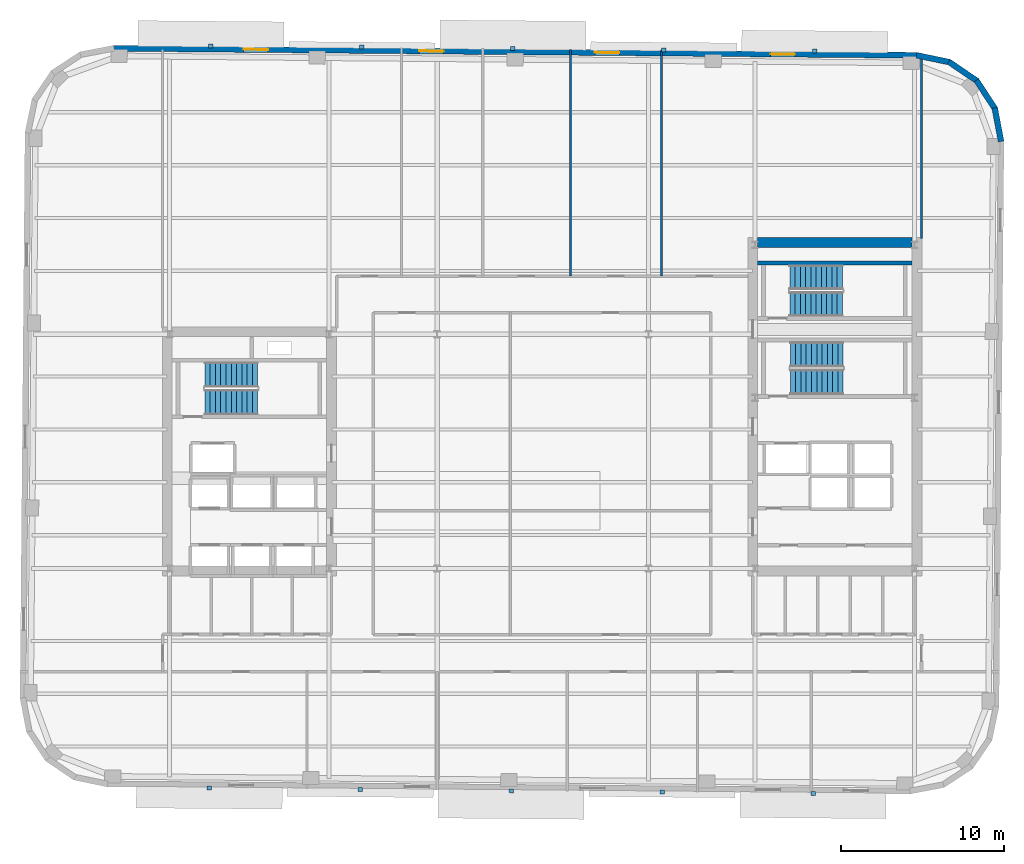
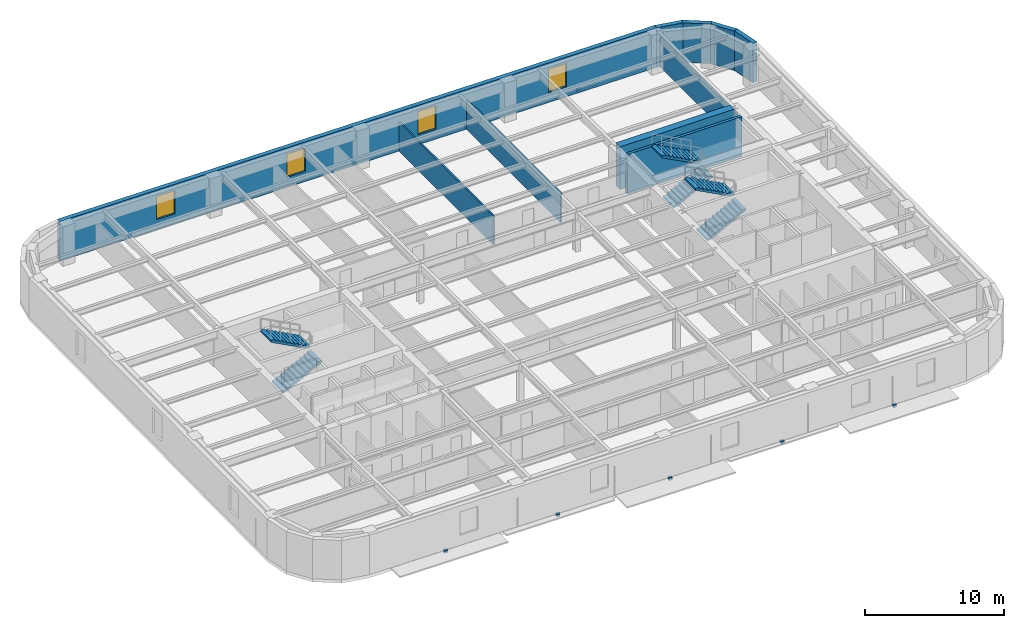
# One storey, part 7 of 11: 10 discrete accessories, 10 walls, 6 stair flights, 4 windows, 4 openings, 3 elements without a shape of their own.
"""IFC4 building model written with IfcOpenShell, lengths in metres."""

from ifc_helpers import new_model, si_unit, direction, frame, frame_2d, origin, origin_2d, place, context, subcontext, project, spatial, polyline, rectangle, outline, extrude, material, layer, layer_set, type_object, element, fill, aggregate, save


model = new_model("IFC4")

# Units and contexts
model_context = context("Model", 3, precision=1e-05, world=origin(), true_north=direction((0.0, 1.0)))
body_context = subcontext(model_context, "Body", "Model", "MODEL_VIEW")
ifc_project = project(units=[si_unit("LENGTHUNIT", "METRE"), si_unit("AREAUNIT", "SQUARE_METRE"), si_unit("VOLUMEUNIT", "CUBIC_METRE"), si_unit("PLANEANGLEUNIT", "RADIAN"), si_unit("MASSUNIT", "GRAM", prefix="KILO")], contexts=[model_context])

# Site, building, storey
site_placement = place(None, origin())
site = spatial("IfcSite", under=ifc_project, at=site_placement, CompositionType="ELEMENT")
building_placement = place(site_placement, origin())
building = spatial("IfcBuilding", under=site, at=building_placement, Name="Kolvaren Arena Tower", CompositionType="ELEMENT")
storey_placement = place(building_placement, frame((0.0, 0.0, 162.199951171875)))
storey = spatial("IfcBuildingStorey", under=building, at=storey_placement, Name="L38", CompositionType="ELEMENT", Elevation=162.199951171875)

# Walls
ifc_material_1 = material(Name="Concrete 60 MPa", Category="concrete")
ifc_layer_1 = layer(ifc_material_1, 0.60009765625)
ifc_layer_set_1 = layer_set([ifc_layer_1], Name="Concrete 60 MPa")
wall_type_1 = type_object("IfcWallType", Name="CWALL-600", PredefinedType="SHEAR", material=ifc_layer_set_1)
wall_1_placement = place(storey_placement, frame((50.699951171875, 39.5, -0.27001953125), z_axis=(0.0, 0.0, 1.0), x_axis=(1.0, 0.0, 0.0)))
element("IfcWall", 1, at=wall_1_placement, inside=storey, type_object=wall_type_1, Name="Core Shear Wall EC-NORTH (L38)", PredefinedType="SHEAR", context=body_context, shape_type="SweptSolid", body=[
    extrude(rectangle(XDim=9.5, YDim=0.60009765625, at=frame_2d((4.75, 0.0))), origin(), (0.0, 0.0, 1.0), 3.75),
])
ifc_material_2 = material(Name="Precast concrete C50/60", Category="concrete")
ifc_layer_2 = layer(ifc_material_2, 0.360107421875)
ifc_layer_set_2 = layer_set([ifc_layer_2], Name="Precast concrete C50/60")
wall_type_2 = type_object("IfcWallType", Name="EXT-PIER2", PredefinedType="SOLIDWALL", material=ifc_layer_set_2)
wall_2_placement = place(storey_placement, frame((65.281005859375, 47.773193359375, 0.0), z_axis=(0.0, 0.0, 1.0), x_axis=(0.186435855703, -0.98246713518, 0.0)))
element("IfcWall", 2, at=wall_2_placement, inside=storey, type_object=wall_type_2, Name="Exterior Precast Masonry-Frame Wall (L38)", PredefinedType="SOLIDWALL", context=body_context, shape_type="SweptSolid", body=[
    extrude(rectangle(XDim=2.10693359375, YDim=0.360107421875, at=frame_2d((1.053466796875, 0.0))), origin(), (0.0, 0.0, 1.0), 3.47998046875),
])
wall_3_placement = place(storey_placement, frame((64.152099609375, 49.469970703125, 0.0), z_axis=(0.0, 0.0, 1.0), x_axis=(0.548238722478, -0.83632188969, 0.0)))
element("IfcWall", 3, at=wall_3_placement, inside=storey, type_object=wall_type_2, Name="Exterior Precast Masonry-Frame Wall (L38)", PredefinedType="SOLIDWALL", context=body_context, shape_type="SweptSolid", body=[
    extrude(rectangle(XDim=2.106689453125, YDim=0.360107421875, at=frame_2d((1.05322265625, 0.0))), origin(), (0.0, 0.0, 1.0), 3.47998046875),
])
wall_4_placement = place(storey_placement, frame((62.45947265625, 50.605712890625, 0.0), z_axis=(0.0, 0.0, 1.0), x_axis=(0.826609569219, -0.56277581689, 0.0)))
element("IfcWall", 4, at=wall_4_placement, inside=storey, type_object=wall_type_2, Name="Exterior Precast Masonry-Frame Wall (L38)", PredefinedType="SOLIDWALL", context=body_context, shape_type="SweptSolid", body=[
    extrude(rectangle(XDim=2.10693359375, YDim=0.360107421875, at=frame_2d((1.053466796875, 0.0))), origin(), (0.0, 0.0, 1.0), 3.47998046875),
])
wall_5_placement = place(storey_placement, frame((60.461181640625, 51.00732421875, 0.0), z_axis=(0.0, 0.0, 1.0), x_axis=(0.979059388908, -0.203574833883, 0.0)))
element("IfcWall", 5, at=wall_5_placement, inside=storey, type_object=wall_type_2, Name="Exterior Precast Masonry-Frame Wall (L38)", PredefinedType="SOLIDWALL", context=body_context, shape_type="SweptSolid", body=[
    extrude(rectangle(XDim=2.107177734375, YDim=0.360107421875, at=frame_2d((1.0537109375, 0.0))), origin(), (0.0, 0.0, 1.0), 3.47998046875),
])

# Wall, openings, windows
wall_6_placement = place(storey_placement, frame((11.098388671875, 51.434814453125, 0.0), z_axis=(0.0, 0.0, 1.0), x_axis=(0.99996191194, -0.008727810138, 0.0)))
wall_6 = element("IfcWall", 6, at=wall_6_placement, inside=storey, type_object=wall_type_2, Name="Exterior Precast Masonry-Frame Wall (L38)", PredefinedType="SOLIDWALL", context=body_context, shape_type="SweptSolid", body=[
    extrude(rectangle(XDim=49.39990234375, YDim=0.360107421875, at=frame_2d((24.699951171875, 0.0))), origin(), (0.0, 0.0, 1.0), 3.47998046875),
])
opening_1_placement = place(wall_6_placement, frame((8.0, 0.0, 0.8798828125)))
opening_1 = element("IfcOpeningElement", 7, at=opening_1_placement, cuts=wall_6, Name="Opening W03", PredefinedType="OPENING", context=body_context, shape_type="SweptSolid", body=[
    extrude(rectangle(XDim=1.5, YDim=2.050048828125, at=frame_2d((0.75, 1.02490234375))), frame((0.0, 0.18994140625, 0.0), z_axis=(0.0, -1.0, 0.0), x_axis=(1.0, 0.0, 0.0)), (0.0, 0.0, 1.0), 0.380126953125),
])
opening_2_placement = place(wall_6_placement, frame((18.800048828125, 0.0, 0.8798828125)))
opening_2 = element("IfcOpeningElement", 8, at=opening_2_placement, cuts=wall_6, Name="Opening W03", PredefinedType="OPENING", context=body_context, shape_type="SweptSolid", body=[
    extrude(rectangle(XDim=1.5, YDim=2.050048828125, at=frame_2d((0.75, 1.02490234375))), frame((0.0, 0.18994140625, 0.0), z_axis=(0.0, -1.0, 0.0), x_axis=(1.0, 0.0, 0.0)), (0.0, 0.0, 1.0), 0.380126953125),
])
opening_3_placement = place(wall_6_placement, frame((29.60009765625, 0.0, 0.8798828125)))
opening_3 = element("IfcOpeningElement", 9, at=opening_3_placement, cuts=wall_6, Name="Opening W03", PredefinedType="OPENING", context=body_context, shape_type="SweptSolid", body=[
    extrude(rectangle(XDim=1.5, YDim=2.050048828125, at=frame_2d((0.75, 1.02490234375))), frame((0.0, 0.18994140625, 0.0), z_axis=(0.0, -1.0, 0.0), x_axis=(1.0, 0.0, 0.0)), (0.0, 0.0, 1.0), 0.380126953125),
])
opening_4_placement = place(wall_6_placement, frame((40.39990234375, 0.0, 0.8798828125)))
opening_4 = element("IfcOpeningElement", 10, at=opening_4_placement, cuts=wall_6, Name="Opening W03", PredefinedType="OPENING", context=body_context, shape_type="SweptSolid", body=[
    extrude(rectangle(XDim=1.5, YDim=2.050048828125, at=frame_2d((0.75, 1.02490234375))), frame((0.0, 0.18994140625, 0.0), z_axis=(0.0, -1.0, 0.0), x_axis=(1.0, 0.0, 0.0)), (0.0, 0.0, 1.0), 0.380126953125),
])
ifc_material_3 = material(Name="Triple-glazed low-E aluminium window", Category="aluminium")
window_type = type_object("IfcWindowType", Name="WIN-OFF-C", PartitioningType="SINGLE_PANEL", PredefinedType="WINDOW", material=ifc_material_3)
window_1_placement = place(opening_1_placement, origin())
window_1 = element("IfcWindow", 11, at=window_1_placement, inside=storey, type_object=window_type, Name="Punched Precast-Pier Window (L38)", OverallHeight=2.050048828125, OverallWidth=1.5, PartitioningType="SINGLE_PANEL", PredefinedType="WINDOW", context=body_context, shape_type="SweptSolid", body=[
    extrude(rectangle(XDim=1.5, YDim=2.050048828125, at=frame_2d((0.75, 1.02490234375))), frame((0.0, 0.030029296875, 0.0), z_axis=(0.0, -1.0, 0.0), x_axis=(1.0, 0.0, 0.0)), (0.0, 0.0, 1.0), 0.06005859375),
])
fill(opening_1, window_1)
window_2_placement = place(opening_2_placement, origin())
window_2 = element("IfcWindow", 12, at=window_2_placement, inside=storey, type_object=window_type, Name="Punched Precast-Pier Window (L38)", OverallHeight=2.050048828125, OverallWidth=1.5, PartitioningType="SINGLE_PANEL", PredefinedType="WINDOW", context=body_context, shape_type="SweptSolid", body=[
    extrude(rectangle(XDim=1.5, YDim=2.050048828125, at=frame_2d((0.75, 1.02490234375))), frame((0.0, 0.030029296875, 0.0), z_axis=(0.0, -1.0, 0.0), x_axis=(1.0, 0.0, 0.0)), (0.0, 0.0, 1.0), 0.06005859375),
])
fill(opening_2, window_2)
window_3_placement = place(opening_3_placement, origin())
window_3 = element("IfcWindow", 13, at=window_3_placement, inside=storey, type_object=window_type, Name="Punched Precast-Pier Window (L38)", OverallHeight=2.050048828125, OverallWidth=1.5, PartitioningType="SINGLE_PANEL", PredefinedType="WINDOW", context=body_context, shape_type="SweptSolid", body=[
    extrude(rectangle(XDim=1.5, YDim=2.050048828125, at=frame_2d((0.75, 1.02490234375))), frame((0.0, 0.030029296875, 0.0), z_axis=(0.0, -1.0, 0.0), x_axis=(1.0, 0.0, 0.0)), (0.0, 0.0, 1.0), 0.06005859375),
])
fill(opening_3, window_3)
window_4_placement = place(opening_4_placement, origin())
window_4 = element("IfcWindow", 14, at=window_4_placement, inside=storey, type_object=window_type, Name="Punched Precast-Pier Window (L38)", OverallHeight=2.050048828125, OverallWidth=1.5, PartitioningType="SINGLE_PANEL", PredefinedType="WINDOW", context=body_context, shape_type="SweptSolid", body=[
    extrude(rectangle(XDim=1.5, YDim=2.050048828125, at=frame_2d((0.75, 1.02490234375))), frame((0.0, 0.030029296875, 0.0), z_axis=(0.0, -1.0, 0.0), x_axis=(1.0, 0.0, 0.0)), (0.0, 0.0, 1.0), 0.06005859375),
])
fill(opening_4, window_4)

# Walls
ifc_material_4 = material(Name="Gypsum board partition assembly", Category="gypsum")
ifc_layer_3 = layer(ifc_material_4, 0.135009765625)
ifc_layer_set_3 = layer_set([ifc_layer_3], Name="Gypsum board partition assembly")
wall_type_3 = type_object("IfcWallType", Name="PART-135", PredefinedType="PARTITIONING", material=ifc_layer_set_3)
wall_7_placement = place(storey_placement, frame((39.199951171875, 37.419921875, 0.0), z_axis=(0.0, 0.0, 1.0), x_axis=(0.0, 1.0, 0.0)))
element("IfcWall", 15, at=wall_7_placement, inside=storey, type_object=wall_type_3, Name="Interior Partition Wall (L38)", PredefinedType="PARTITIONING", context=body_context, shape_type="SweptSolid", body=[
    extrude(rectangle(XDim=13.949462890625, YDim=0.135009765625, at=frame_2d((6.974609375, 0.0))), origin(), (0.0, 0.0, 1.0), 2.5400390625),
])
wall_8_placement = place(storey_placement, frame((44.800048828125, 37.419921875, 0.0), z_axis=(0.0, 0.0, 1.0), x_axis=(0.0, 1.0, 0.0)))
element("IfcWall", 16, at=wall_8_placement, inside=storey, type_object=wall_type_3, Name="Interior Partition Wall (L38)", PredefinedType="PARTITIONING", context=body_context, shape_type="SweptSolid", body=[
    extrude(rectangle(XDim=13.900634765625, YDim=0.135009765625, at=frame_2d((6.9501953125, 0.0))), origin(), (0.0, 0.0, 1.0), 2.5400390625),
])
wall_9_placement = place(storey_placement, frame((60.780029296875, 39.75, 0.0), z_axis=(0.0, 0.0, 1.0), x_axis=(0.0, 1.0, 0.0)))
element("IfcWall", 17, at=wall_9_placement, inside=storey, type_object=wall_type_3, Name="Interior Partition Wall (L38)", PredefinedType="PARTITIONING", context=body_context, shape_type="SweptSolid", body=[
    extrude(rectangle(XDim=11.1298828125, YDim=0.135009765625, at=frame_2d((5.56494140625, 0.0))), origin(), (0.0, 0.0, 1.0), 2.5400390625),
])
ifc_material_5 = material(Name="Concrete 45 MPa", Category="concrete")
ifc_layer_4 = layer(ifc_material_5, 0.25)
ifc_layer_set_4 = layer_set([ifc_layer_4], Name="Concrete 45 MPa")
wall_type_4 = type_object("IfcWallType", Name="SHAFT-250", PredefinedType="SOLIDWALL", material=ifc_layer_set_4)
wall_10_placement = place(storey_placement, frame((50.699951171875, 38.219970703125, 0.0), z_axis=(0.0, 0.0, 1.0), x_axis=(1.0, 0.0, 0.0)))
element("IfcWall", 18, at=wall_10_placement, inside=storey, type_object=wall_type_4, Name="Core Shaft Wall (L38)", PredefinedType="SOLIDWALL", context=body_context, shape_type="SweptSolid", body=[
    extrude(rectangle(XDim=9.5, YDim=0.239990234375, at=frame_2d((4.75, 0.0))), origin(), (0.0, 0.0, 1.0), 3.47998046875),
])

# Stair, stair flights
stair_type_1 = type_object("IfcStairType", Name="STAIR-CORE-150", PredefinedType="HALF_TURN_STAIR", material=ifc_material_5)
stair_1_placement = place(storey_placement, origin())
stair_1 = element("IfcStair", 19, at=stair_1_placement, inside=storey, type_object=stair_type_1, Name="L38 ST-E2", PredefinedType="HALF_TURN_STAIR")
stair_flight_type_1 = type_object("IfcStairFlightType", Name="FLT-150", PredefinedType="STRAIGHT", material=ifc_material_5)
stair_flight_1_placement = place(storey_placement, frame((52.679931640625, 35.699951171875, 0.0), z_axis=(0.0, 0.0, 1.0), x_axis=(1.0, 0.0, 0.0)))
stair_flight_1 = element("IfcStairFlight", 20, at=stair_flight_1_placement, type_object=stair_flight_type_1, Name="ST-E2 flight 1", NumberOfRisers=11, NumberOfTreads=10, PredefinedType="STRAIGHT", RiserHeight=0.170454545, TreadLength=0.324, context=body_context, shape_type="SweptSolid", body=[
    extrude(outline(polyline([(0.0, 0.0), (0.0, 0.17041015625), (0.323974609375, 0.17041015625), (0.323974609375, 0.3408203125), (0.64794921875, 0.3408203125), (0.64794921875, 0.511474609375), (0.971923828125, 0.511474609375), (0.971923828125, 0.681884765625), (1.2958984375, 0.681884765625), (1.2958984375, 0.852294921875), (1.6201171875, 0.852294921875), (1.6201171875, 1.022705078125), (1.944091796875, 1.022705078125), (1.944091796875, 1.193115234375), (2.26806640625, 1.193115234375), (2.26806640625, 1.363525390625), (2.592041015625, 1.363525390625), (2.592041015625, 1.5341796875), (2.916015625, 1.5341796875), (2.916015625, 1.70458984375), (3.239990234375, 1.70458984375), (3.239990234375, 1.875), (3.239990234375, 1.53515625), (0.322021484375, 0.0), (0.0, 0.0)])), frame((0.0, 0.75, 0.0), z_axis=(0.0, -1.0, 0.0), x_axis=(1.0, 0.0, 0.0)), (0.0, 0.0, 1.0), 1.5),
])
stair_flight_2_placement = place(storey_placement, frame((55.919921875, 37.35009765625, 1.875), z_axis=(0.0, 0.0, 1.0), x_axis=(-1.0, 0.0, 0.0)))
stair_flight_2 = element("IfcStairFlight", 21, at=stair_flight_2_placement, type_object=stair_flight_type_1, Name="ST-E2 flight 2", NumberOfRisers=11, NumberOfTreads=10, PredefinedType="STRAIGHT", RiserHeight=0.170454545, TreadLength=0.324, context=body_context, shape_type="SweptSolid", body=[
    extrude(outline(polyline([(0.0, 0.0), (0.0, 0.17041015625), (0.323974609375, 0.17041015625), (0.323974609375, 0.3408203125), (0.64794921875, 0.3408203125), (0.64794921875, 0.511474609375), (0.971923828125, 0.511474609375), (0.971923828125, 0.681884765625), (1.2958984375, 0.681884765625), (1.2958984375, 0.852294921875), (1.6201171875, 0.852294921875), (1.6201171875, 1.022705078125), (1.944091796875, 1.022705078125), (1.944091796875, 1.193115234375), (2.26806640625, 1.193115234375), (2.26806640625, 1.363525390625), (2.592041015625, 1.363525390625), (2.592041015625, 1.5341796875), (2.916015625, 1.5341796875), (2.916015625, 1.70458984375), (3.239990234375, 1.70458984375), (3.239990234375, 1.875), (3.239990234375, 1.53515625), (0.322021484375, 0.0), (0.0, 0.0)])), frame((0.0, 0.75, 0.0), z_axis=(0.0, -1.0, 0.0), x_axis=(1.0, 0.0, 0.0)), (0.0, 0.0, 1.0), 1.5),
])
aggregate(stair_1, [stair_flight_1, stair_flight_2])

stair_type_2 = type_object("IfcStairType", Name="STAIR-CORE-165", PredefinedType="HALF_TURN_STAIR", material=ifc_material_5)
stair_2_placement = place(storey_placement, origin())
stair_2 = element("IfcStair", 22, at=stair_2_placement, inside=storey, type_object=stair_type_2, Name="L38 ST-W1", PredefinedType="HALF_TURN_STAIR")
stair_flight_type_2 = type_object("IfcStairFlightType", Name="FLT-165", PredefinedType="STRAIGHT", material=ifc_material_5)
stair_flight_3_placement = place(storey_placement, frame((16.719970703125, 29.669921875, 0.0), z_axis=(0.0, 0.0, 1.0), x_axis=(1.0, 0.0, 0.0)))
stair_flight_3 = element("IfcStairFlight", 23, at=stair_flight_3_placement, type_object=stair_flight_type_2, Name="ST-W1 flight 1", NumberOfRisers=11, NumberOfTreads=10, PredefinedType="STRAIGHT", RiserHeight=0.170454545, TreadLength=0.324, context=body_context, shape_type="SweptSolid", body=[
    extrude(outline(polyline([(0.0, 0.0), (0.0, 0.17041015625), (0.323974609375, 0.17041015625), (0.323974609375, 0.3408203125), (0.64794921875, 0.3408203125), (0.64794921875, 0.511474609375), (0.971923828125, 0.511474609375), (0.971923828125, 0.681884765625), (1.2958984375, 0.681884765625), (1.2958984375, 0.852294921875), (1.6201171875, 0.852294921875), (1.6201171875, 1.022705078125), (1.944091796875, 1.022705078125), (1.944091796875, 1.193115234375), (2.26806640625, 1.193115234375), (2.26806640625, 1.363525390625), (2.592041015625, 1.363525390625), (2.592041015625, 1.5341796875), (2.916015625, 1.5341796875), (2.916015625, 1.70458984375), (3.239990234375, 1.70458984375), (3.239990234375, 1.875), (3.239990234375, 1.53515625), (0.322021484375, 0.0), (0.0, 0.0)])), frame((0.0, 0.77001953125, 0.0), z_axis=(0.0, -1.0, 0.0), x_axis=(1.0, 0.0, 0.0)), (0.0, 0.0, 1.0), 1.5400390625),
])
stair_flight_4_placement = place(storey_placement, frame((19.9599609375, 31.360107421875, 1.875), z_axis=(0.0, 0.0, 1.0), x_axis=(-1.0, 0.0, 0.0)))
stair_flight_4 = element("IfcStairFlight", 24, at=stair_flight_4_placement, type_object=stair_flight_type_2, Name="ST-W1 flight 2", NumberOfRisers=11, NumberOfTreads=10, PredefinedType="STRAIGHT", RiserHeight=0.170454545, TreadLength=0.324, context=body_context, shape_type="SweptSolid", body=[
    extrude(outline(polyline([(0.0, 0.0), (0.0, 0.17041015625), (0.323974609375, 0.17041015625), (0.323974609375, 0.3408203125), (0.64794921875, 0.3408203125), (0.64794921875, 0.511474609375), (0.971923828125, 0.511474609375), (0.971923828125, 0.681884765625), (1.2958984375, 0.681884765625), (1.2958984375, 0.852294921875), (1.6201171875, 0.852294921875), (1.6201171875, 1.022705078125), (1.944091796875, 1.022705078125), (1.944091796875, 1.193115234375), (2.26806640625, 1.193115234375), (2.26806640625, 1.363525390625), (2.592041015625, 1.363525390625), (2.592041015625, 1.5341796875), (2.916015625, 1.5341796875), (2.916015625, 1.70458984375), (3.239990234375, 1.70458984375), (3.239990234375, 1.875), (3.239990234375, 1.53515625), (0.322021484375, 0.0), (0.0, 0.0)])), frame((0.0, 0.77001953125, 0.0), z_axis=(0.0, -1.0, 0.0), x_axis=(1.0, 0.0, 0.0)), (0.0, 0.0, 1.0), 1.5400390625),
])
aggregate(stair_2, [stair_flight_3, stair_flight_4])

stair_3_placement = place(storey_placement, origin())
stair_3 = element("IfcStair", 25, at=stair_3_placement, inside=storey, type_object=stair_type_2, Name="L38 ST-E1", PredefinedType="HALF_TURN_STAIR")
stair_flight_5_placement = place(storey_placement, frame((52.719970703125, 30.919921875, 0.0), z_axis=(0.0, 0.0, 1.0), x_axis=(1.0, 0.0, 0.0)))
stair_flight_5 = element("IfcStairFlight", 26, at=stair_flight_5_placement, type_object=stair_flight_type_2, Name="ST-E1 flight 1", NumberOfRisers=11, NumberOfTreads=10, PredefinedType="STRAIGHT", RiserHeight=0.170454545, TreadLength=0.324, context=body_context, shape_type="SweptSolid", body=[
    extrude(outline(polyline([(0.0, 0.0), (0.0, 0.17041015625), (0.323974609375, 0.17041015625), (0.323974609375, 0.3408203125), (0.64794921875, 0.3408203125), (0.64794921875, 0.511474609375), (0.971923828125, 0.511474609375), (0.971923828125, 0.681884765625), (1.2958984375, 0.681884765625), (1.2958984375, 0.852294921875), (1.6201171875, 0.852294921875), (1.6201171875, 1.022705078125), (1.944091796875, 1.022705078125), (1.944091796875, 1.193115234375), (2.26806640625, 1.193115234375), (2.26806640625, 1.363525390625), (2.592041015625, 1.363525390625), (2.592041015625, 1.5341796875), (2.916015625, 1.5341796875), (2.916015625, 1.70458984375), (3.239990234375, 1.70458984375), (3.239990234375, 1.875), (3.239990234375, 1.53515625), (0.322021484375, 0.0), (0.0, 0.0)])), frame((0.0, 0.77001953125, 0.0), z_axis=(0.0, -1.0, 0.0), x_axis=(1.0, 0.0, 0.0)), (0.0, 0.0, 1.0), 1.5400390625),
])
stair_flight_6_placement = place(storey_placement, frame((55.9599609375, 32.610107421875, 1.875), z_axis=(0.0, 0.0, 1.0), x_axis=(-1.0, 0.0, 0.0)))
stair_flight_6 = element("IfcStairFlight", 27, at=stair_flight_6_placement, type_object=stair_flight_type_2, Name="ST-E1 flight 2", NumberOfRisers=11, NumberOfTreads=10, PredefinedType="STRAIGHT", RiserHeight=0.170454545, TreadLength=0.324, context=body_context, shape_type="SweptSolid", body=[
    extrude(outline(polyline([(0.0, 0.0), (0.0, 0.17041015625), (0.323974609375, 0.17041015625), (0.323974609375, 0.3408203125), (0.64794921875, 0.3408203125), (0.64794921875, 0.511474609375), (0.971923828125, 0.511474609375), (0.971923828125, 0.681884765625), (1.2958984375, 0.681884765625), (1.2958984375, 0.852294921875), (1.6201171875, 0.852294921875), (1.6201171875, 1.022705078125), (1.944091796875, 1.022705078125), (1.944091796875, 1.193115234375), (2.26806640625, 1.193115234375), (2.26806640625, 1.363525390625), (2.592041015625, 1.363525390625), (2.592041015625, 1.5341796875), (2.916015625, 1.5341796875), (2.916015625, 1.70458984375), (3.239990234375, 1.70458984375), (3.239990234375, 1.875), (3.239990234375, 1.53515625), (0.322021484375, 0.0), (0.0, 0.0)])), frame((0.0, 0.77001953125, 0.0), z_axis=(0.0, -1.0, 0.0), x_axis=(1.0, 0.0, 0.0)), (0.0, 0.0, 1.0), 1.5400390625),
])
aggregate(stair_3, [stair_flight_5, stair_flight_6])

# Discrete accessories
ifc_material_6 = material(Name="Stainless steel facade support bracket", Category="steel")
discrete_accessory_type = type_object("IfcDiscreteAccessoryType", Name="ACC-BRKT-1", PredefinedType="BRACKET", material=ifc_material_6)
for number, where, z_axis, x_axis, name in (
    (28, (17.08984375, 51.58251953125, -0.18017578125), (0.0, 0.0, 1.0), (0.999961923064, -0.008726535498, 0.0), "Sunshade Support Bracket (L38)"),
    (29, (26.369384765625, 51.50146484375, -0.18017578125), (0.0, 0.0, 1.0), (0.999961923064, -0.008726535498, 0.0), "Sunshade Support Bracket (L38)"),
    (30, (35.649169921875, 51.42041015625, -0.18017578125), (0.0, 0.0, 1.0), (0.999961923064, -0.008726535498, 0.0), "Sunshade Support Bracket (L38)"),
    (31, (44.9287109375, 51.339599609375, -0.18017578125), (0.0, 0.0, 1.0), (0.999961923064, -0.008726535498, 0.0), "Sunshade Support Bracket (L38)"),
    (32, (54.20849609375, 51.258544921875, -0.18017578125), (0.0, 0.0, 1.0), (0.999961923064, -0.008726535498, 0.0), "Sunshade Support Bracket (L38)"),
    (33, (54.110107421875, 5.61767578125, -0.18017578125), (0.0, 0.0, 1.0), (-0.999961923064, 0.008726535498, 0.0), "Sunshade Support Bracket (L38)"),
    (34, (44.83056640625, 5.698486328125, -0.18017578125), (0.0, 0.0, 1.0), (-0.999961923064, 0.008726535498, 0.0), "Sunshade Support Bracket (L38)"),
    (35, (35.55078125, 5.779541015625, -0.18017578125), (0.0, 0.0, 1.0), (-0.999961923064, 0.008726535498, 0.0), "Sunshade Support Bracket (L38)"),
    (36, (26.271240234375, 5.860595703125, -0.18017578125), (0.0, 0.0, 1.0), (-0.999961923064, 0.008726535498, 0.0), "Sunshade Support Bracket (L38)"),
    (37, (16.99169921875, 5.94140625, -0.18017578125), (0.0, 0.0, 1.0), (-0.999961923064, 0.008726535498, 0.0), "Sunshade Support Bracket (L38)"),
):
    element("IfcDiscreteAccessory", number, at=place(storey_placement, frame(where, z_axis=z_axis, x_axis=x_axis)), inside=storey, type_object=discrete_accessory_type, Name=name, PredefinedType="BRACKET", context=body_context, shape_type="SweptSolid", body=[
        extrude(rectangle(XDim=0.280029296875, YDim=0.239990234375, at=origin_2d()), origin(), (0.0, 0.0, 1.0), 0.239990234375),
    ])

save(model, "model.ifc")
